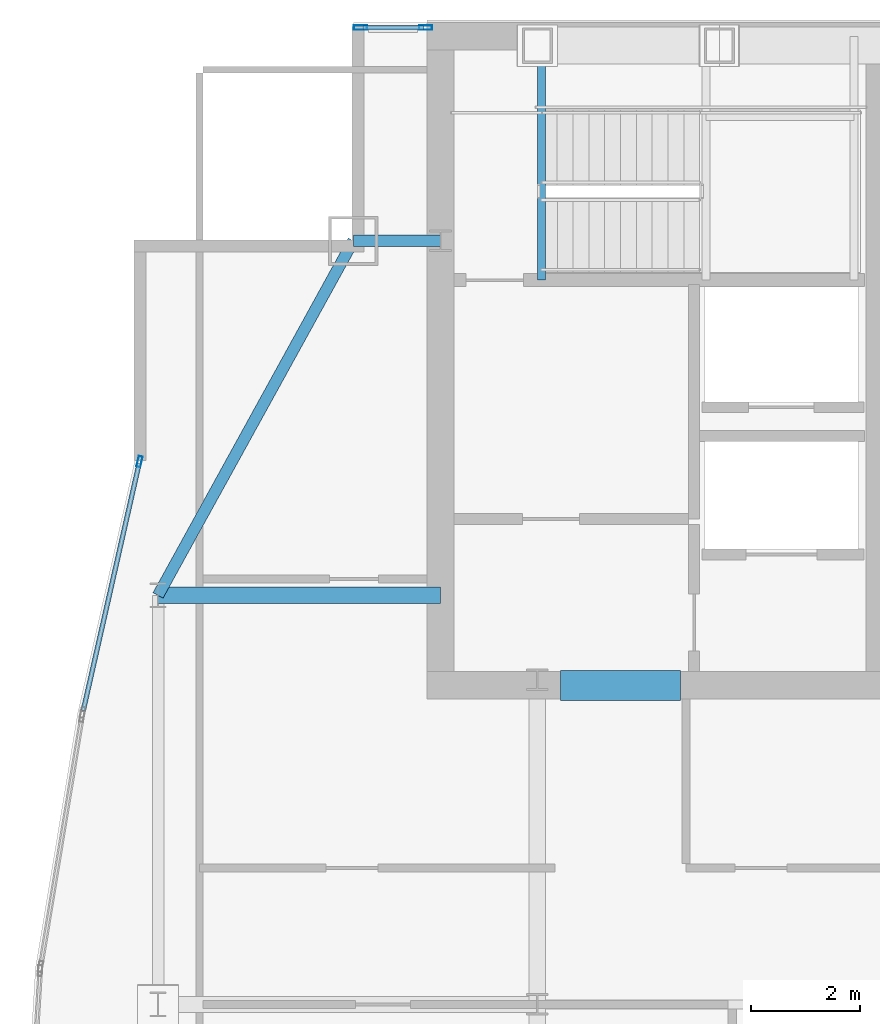
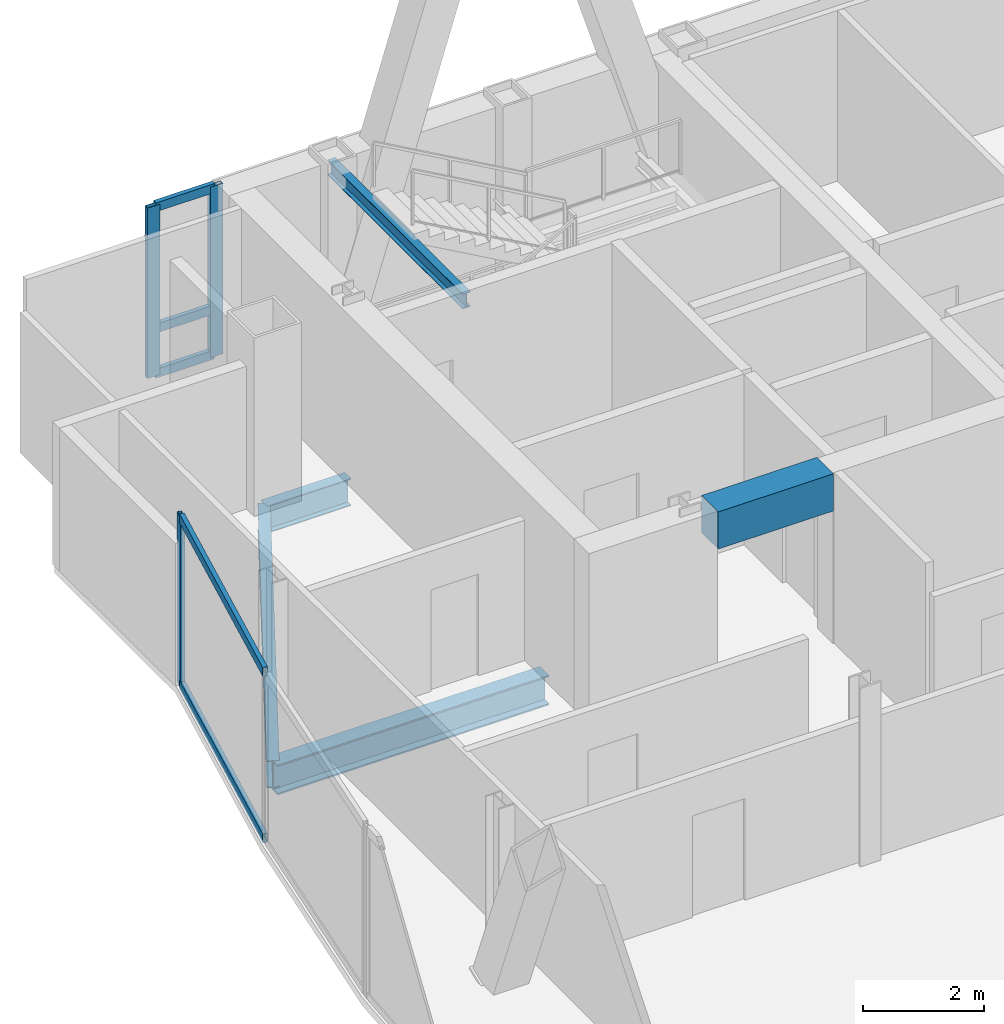
# One storey, part 22 of 31: 8 members, 5 beams, 2 elements without a shape of their own.
"""IFC4 building model written with IfcOpenShell, lengths in metres."""

from ifc_helpers import new_model, si_unit, direction, frame, origin, origin_2d, place, context, subcontext, project, spatial, rectangle, hollow_rectangle, i_section, extrude, material, material_profile, profile_set, type_object, element, aggregate, save


model = new_model("IFC4")

# Units and contexts
model_context = context("Model", 3, precision=1e-05, world=origin(), true_north=direction((0.0, 1.0)))
body_context = subcontext(model_context, "Body", "Model", "MODEL_VIEW")
ifc_project = project(units=[si_unit("LENGTHUNIT", "METRE"), si_unit("AREAUNIT", "SQUARE_METRE"), si_unit("VOLUMEUNIT", "CUBIC_METRE"), si_unit("PLANEANGLEUNIT", "RADIAN"), si_unit("MASSUNIT", "GRAM", prefix="KILO")], contexts=[model_context])

# Site, building, storey
site_placement = place(None, origin())
site = spatial("IfcSite", under=ifc_project, at=site_placement, CompositionType="ELEMENT")
building_placement = place(site_placement, origin())
building = spatial("IfcBuilding", under=site, at=building_placement, Name="Khoronbel Lancet Exchange", CompositionType="ELEMENT")
storey_placement = place(building_placement, frame((0.0, 0.0, 325.39990234375)))
storey = spatial("IfcBuildingStorey", under=building, at=storey_placement, Name="L84", CompositionType="ELEMENT", Elevation=325.39990234375)

# Beams
ifc_material_1 = material(Name="Steel S355", Category="steel")
ifc_material_profile_1 = material_profile(ifc_material_1, i_section(OverallWidth=0.300048828125, OverallDepth=0.60009765625, WebThickness=0.015380859375, FlangeThickness=0.030029296875, at=origin_2d()), Name="HEB 600")
ifc_profile_set_1 = profile_set([ifc_material_profile_1], Name="Steel S355")
beam_type_1 = type_object("IfcBeamType", Name="BM-BG5", PredefinedType="BEAM", material=ifc_profile_set_1)
beam_1_placement = place(storey_placement, frame((11.27001953125, 43.199951171875, -0.4599609375), z_axis=(1.0, 0.0, 0.0), x_axis=(0.0, 1.0, 0.0)))
element("IfcBeam", 1, at=beam_1_placement, inside=storey, type_object=beam_type_1, Name="Level L84 west lens tie girder LG3W", PredefinedType="BEAM", context=body_context, shape_type="SweptSolid", body=[
    extrude(i_section(OverallWidth=0.300048828125, OverallDepth=0.60009765625, WebThickness=0.015380859375, FlangeThickness=0.030029296875, at=origin_2d()), origin(), (0.0, 0.0, 1.0), 5.179931640625),
])
ifc_material_profile_2 = material_profile(ifc_material_1, i_section(OverallWidth=0.14990234375, OverallDepth=0.300048828125, WebThickness=0.007080078125, FlangeThickness=0.0107421875, at=origin_2d()), Name="IPE 300")
ifc_profile_set_2 = profile_set([ifc_material_profile_2], Name="Steel S355")
beam_type_2 = type_object("IfcBeamType", Name="BM-BJ8", PredefinedType="JOIST", material=ifc_profile_set_2)
beam_2_placement = place(storey_placement, frame((18.300048828125, 48.97998046875, 3.16015625), z_axis=(0.0, 1.0, 0.0), x_axis=(-1.0, 0.0, 0.0)))
element("IfcBeam", 2, at=beam_2_placement, inside=storey, type_object=beam_type_2, Name="Level L84 stair ST1 upper-flight arrival trimmer beam", PredefinedType="JOIST", context=body_context, shape_type="SweptSolid", body=[
    extrude(i_section(OverallWidth=0.14990234375, OverallDepth=0.300048828125, WebThickness=0.007080078125, FlangeThickness=0.0107421875, at=origin_2d()), origin(), (0.0, 0.0, 1.0), 4.469970703125),
])
ifc_material_2 = material(Name="Concrete C60/75", Category="concrete")
ifc_material_profile_3 = material_profile(ifc_material_2, rectangle(XDim=0.550048828125, YDim=0.75, at=origin_2d()), Name="RC 550x750")
ifc_profile_set_3 = profile_set([ifc_material_profile_3], Name="Concrete C60/75")
beam_type_3 = type_object("IfcBeamType", Name="BM-BL2", PredefinedType="LINTEL", material=ifc_profile_set_3)
beam_3_placement = place(storey_placement, frame((18.64990234375, 41.550048828125, 3.065185546875), z_axis=(1.0, 0.0, 0.0), x_axis=(0.0, 1.0, 0.0)))
element("IfcBeam", 3, at=beam_3_placement, inside=storey, type_object=beam_type_3, Name="Level L84 rear core coupling lintel L1", PredefinedType="LINTEL", context=body_context, shape_type="SweptSolid", body=[
    extrude(rectangle(XDim=0.550048828125, YDim=0.75, at=origin_2d()), origin(), (0.0, 0.0, 1.0), 2.2001953125),
])
ifc_material_profile_4 = material_profile(ifc_material_1, i_section(OverallWidth=0.2099609375, OverallDepth=0.550048828125, WebThickness=0.010986328125, FlangeThickness=0.01708984375, at=origin_2d()), Name="IPE 550")
ifc_profile_set_4 = profile_set([ifc_material_profile_4], Name="Steel S355")
beam_type_4 = type_object("IfcBeamType", Name="BM-BSP3", PredefinedType="SPANDREL", material=ifc_profile_set_4)
beam_4_placement = place(storey_placement, frame((14.85009765625, 49.699951171875, -0.434814453125), z_axis=(-0.482444051088, -0.875926787791, 0.0), x_axis=(0.875926787791, -0.482444051088, 0.0)))
element("IfcBeam", 4, at=beam_4_placement, inside=storey, type_object=beam_type_4, Name="Level L84 perimeter spandrel beam SP14", PredefinedType="SPANDREL", context=body_context, shape_type="SweptSolid", body=[
    extrude(i_section(OverallWidth=0.2099609375, OverallDepth=0.550048828125, WebThickness=0.010986328125, FlangeThickness=0.01708984375, at=origin_2d()), origin(), (0.0, 0.0, 1.0), 7.420654296875),
])
beam_5_placement = place(storey_placement, frame((14.85009765625, 49.699951171875, -0.434814453125), z_axis=(1.0, 0.0, 0.0), x_axis=(0.0, 1.0, 0.0)))
element("IfcBeam", 5, at=beam_5_placement, inside=storey, type_object=beam_type_4, Name="Level L84 north flank tie spandrel SP20", PredefinedType="SPANDREL", context=body_context, shape_type="SweptSolid", body=[
    extrude(i_section(OverallWidth=0.2099609375, OverallDepth=0.550048828125, WebThickness=0.010986328125, FlangeThickness=0.01708984375, at=origin_2d()), origin(), (0.0, 0.0, 1.0), 1.599853515625),
])

# Curtain wall, members
ifc_material_3 = material(Name="Low-E Solar Control Insulating Glass", Category="glass")
curtain_wall_type_1 = type_object("IfcCurtainWallType", Name="CW-3", PredefinedType="NOTDEFINED", material=ifc_material_3)
curtain_wall_1_placement = place(storey_placement, origin())
curtain_wall_1 = element("IfcCurtainWall", 6, at=curtain_wall_1_placement, inside=storey, type_object=curtain_wall_type_1, Name="Unitised curtain wall CW-L84-NWFLK", PredefinedType="NOTDEFINED")
ifc_material_4 = material(Name="Bronze-Anodised Aluminium 6063-T6", Category="aluminium")
ifc_material_profile_5 = material_profile(ifc_material_4, hollow_rectangle(XDim=0.0849609375, YDim=0.239990234375, WallThickness=0.006103515625, at=origin_2d()), Name="ALU MULLION 85x240")
ifc_profile_set_5 = profile_set([ifc_material_profile_5], Name="Bronze-Anodised Aluminium 6063-T6")
member_type_1 = type_object("IfcMemberType", Name="MEM-CWM1", PredefinedType="MULLION", material=ifc_profile_set_5)
member_1_placement = place(storey_placement, frame((16.177490234375, 53.610107421875, 0.0), z_axis=(0.0, 0.0, 1.0), x_axis=(0.0, -1.0, 0.0)))
member_1 = element("IfcMember", 7, at=member_1_placement, type_object=member_type_1, Name="CW3 mullion 1", PredefinedType="MULLION", context=body_context, shape_type="SweptSolid", body=[
    extrude(hollow_rectangle(XDim=0.0849609375, YDim=0.239990234375, WallThickness=0.006103515625, at=origin_2d()), origin(), (0.0, 0.0, 1.0), 3.440185546875),
])
member_2_placement = place(storey_placement, frame((14.982421875, 53.610107421875, 0.0), z_axis=(0.0, 0.0, 1.0), x_axis=(0.0, -1.0, 0.0)))
member_2 = element("IfcMember", 8, at=member_2_placement, type_object=member_type_1, Name="CW3 mullion 2", PredefinedType="MULLION", context=body_context, shape_type="SweptSolid", body=[
    extrude(hollow_rectangle(XDim=0.0849609375, YDim=0.239990234375, WallThickness=0.006103515625, at=origin_2d()), origin(), (0.0, 0.0, 1.0), 3.440185546875),
])

curtain_wall_type_2 = type_object("IfcCurtainWallType", Name="CW-4", PredefinedType="NOTDEFINED", material=ifc_material_3)
curtain_wall_2_placement = place(storey_placement, origin())
curtain_wall_2 = element("IfcCurtainWall", 9, at=curtain_wall_2_placement, inside=storey, type_object=curtain_wall_type_2, Name="Unitised curtain wall CW-L84-E09", PredefinedType="NOTDEFINED")
ifc_material_profile_6 = material_profile(ifc_material_4, hollow_rectangle(XDim=0.074951171875, YDim=0.199951171875, WallThickness=0.0048828125, at=origin_2d()), Name="ALU MULLION 75x200")
ifc_profile_set_6 = profile_set([ifc_material_profile_6], Name="Bronze-Anodised Aluminium 6063-T6")
member_type_2 = type_object("IfcMemberType", Name="MEM-CWM2", PredefinedType="MULLION", material=ifc_profile_set_6)
member_3_placement = place(storey_placement, frame((10.931640625, 45.6533203125, 0.0), z_axis=(0.0, 0.0, 1.0), x_axis=(-0.975369067716, 0.220579196078, 0.0)))
member_3 = element("IfcMember", 10, at=member_3_placement, type_object=member_type_2, Name="CW4 mullion 2", PredefinedType="MULLION", context=body_context, shape_type="SweptSolid", body=[
    extrude(hollow_rectangle(XDim=0.074951171875, YDim=0.199951171875, WallThickness=0.0048828125, at=origin_2d()), origin(), (0.0, 0.0, 1.0), 3.440185546875),
])
ifc_material_profile_7 = material_profile(ifc_material_4, hollow_rectangle(XDim=0.0849609375, YDim=0.179931640625, WallThickness=0.0048828125, at=origin_2d()), Name="ALU TRANSOM 85x180")
ifc_profile_set_7 = profile_set([ifc_material_profile_7], Name="Bronze-Anodised Aluminium 6063-T6")
member_type_3 = type_object("IfcMemberType", Name="MEM-CWT1", PredefinedType="USERDEFINED", material=ifc_profile_set_7)
member_4_placement = place(storey_placement, frame((9.899658203125, 41.089111328125, 0.04248046875), z_axis=(0.220532067169, 0.975379724697, 0.0), x_axis=(-0.975379724697, 0.220532067169, 0.0)))
member_4 = element("IfcMember", 11, at=member_4_placement, type_object=member_type_3, Name="CW4 transom 1.1", ObjectType="TRANSOM", PredefinedType="USERDEFINED", context=body_context, shape_type="SweptSolid", body=[
    extrude(hollow_rectangle(XDim=0.0849609375, YDim=0.179931640625, WallThickness=0.0048828125, at=origin_2d()), origin(), (0.0, 0.0, 1.0), 4.641845703125),
])
member_5_placement = place(storey_placement, frame((9.899658203125, 41.089111328125, 3.397705078125), z_axis=(0.220532067169, 0.975379724697, 0.0), x_axis=(-0.975379724697, 0.220532067169, 0.0)))
member_5 = element("IfcMember", 12, at=member_5_placement, type_object=member_type_3, Name="CW4 transom 1.2", ObjectType="TRANSOM", PredefinedType="USERDEFINED", context=body_context, shape_type="SweptSolid", body=[
    extrude(hollow_rectangle(XDim=0.0849609375, YDim=0.179931640625, WallThickness=0.0048828125, at=origin_2d()), origin(), (0.0, 0.0, 1.0), 4.641845703125),
])
aggregate(curtain_wall_2, [member_3, member_4, member_5])

# Member
member_6_placement = place(storey_placement, frame((16.135009765625, 53.610107421875, 0.04248046875), z_axis=(-1.0, 0.0, 0.0), x_axis=(0.0, -1.0, 0.0)))
member_6 = element("IfcMember", 13, at=member_6_placement, type_object=member_type_3, Name="CW3 transom 1.1", ObjectType="TRANSOM", PredefinedType="USERDEFINED", context=body_context, shape_type="SweptSolid", body=[
    extrude(hollow_rectangle(XDim=0.0849609375, YDim=0.179931640625, WallThickness=0.0048828125, at=origin_2d()), origin(), (0.0, 0.0, 1.0), 1.110107421875),
])

member_7_placement = place(storey_placement, frame((16.135009765625, 53.610107421875, 0.9501953125), z_axis=(-1.0, 0.0, 0.0), x_axis=(0.0, -1.0, 0.0)))
member_7 = element("IfcMember", 14, at=member_7_placement, type_object=member_type_3, Name="CW3 transom 1.2", ObjectType="TRANSOM", PredefinedType="USERDEFINED", context=body_context, shape_type="SweptSolid", body=[
    extrude(hollow_rectangle(XDim=0.0849609375, YDim=0.179931640625, WallThickness=0.0048828125, at=origin_2d()), origin(), (0.0, 0.0, 1.0), 1.110107421875),
])

member_8_placement = place(storey_placement, frame((16.135009765625, 53.610107421875, 3.397705078125), z_axis=(-1.0, 0.0, 0.0), x_axis=(0.0, -1.0, 0.0)))
member_8 = element("IfcMember", 15, at=member_8_placement, type_object=member_type_3, Name="CW3 transom 1.3", ObjectType="TRANSOM", PredefinedType="USERDEFINED", context=body_context, shape_type="SweptSolid", body=[
    extrude(hollow_rectangle(XDim=0.0849609375, YDim=0.179931640625, WallThickness=0.0048828125, at=origin_2d()), origin(), (0.0, 0.0, 1.0), 1.110107421875),
])

aggregate(curtain_wall_1, [member_1, member_2, member_6, member_7, member_8])

save(model, "model.ifc")
